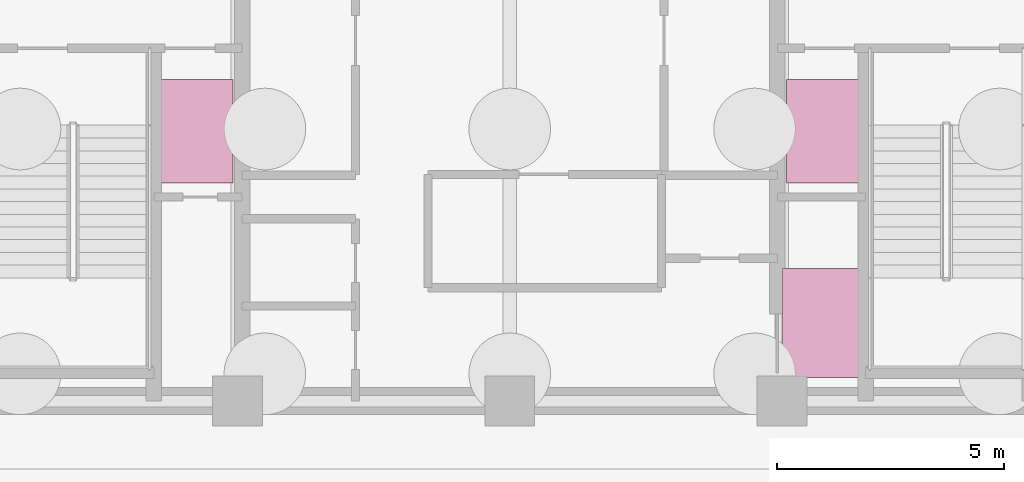
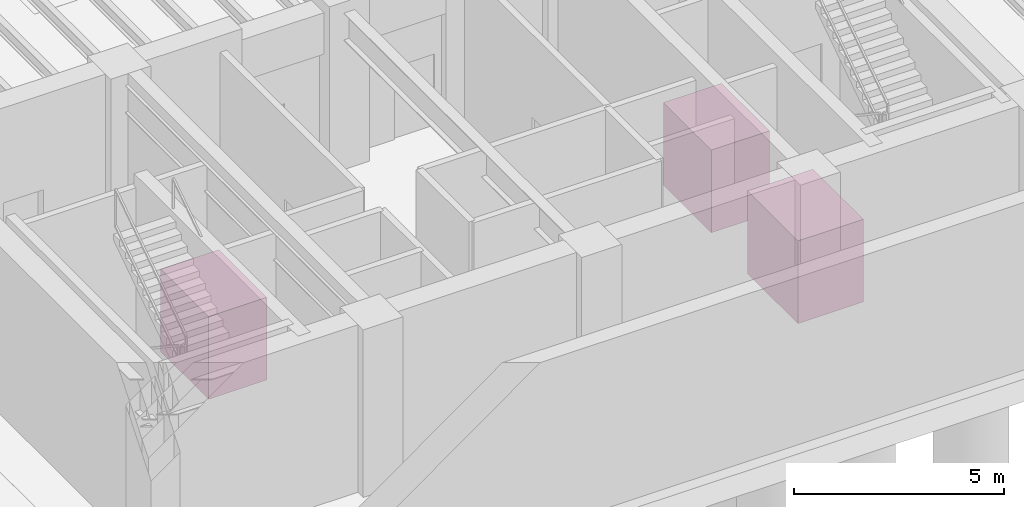
# One storey, part 9 of 9: 3 transport elements.
"""IFC4 building model written with IfcOpenShell, lengths in metres."""

from ifc_helpers import new_model, si_unit, direction, frame, origin, origin_2d, place, context, subcontext, project, spatial, rectangle, extrude, source, transform, mapped, material, type_object, element, save


model = new_model("IFC4")

# Units and contexts
model_context = context("Model", 3, precision=1e-05, world=origin(), true_north=direction((0.0, 1.0)))
body_context = subcontext(model_context, "Body", "Model", "MODEL_VIEW")
ifc_project = project(units=[si_unit("LENGTHUNIT", "METRE"), si_unit("AREAUNIT", "SQUARE_METRE"), si_unit("VOLUMEUNIT", "CUBIC_METRE"), si_unit("PLANEANGLEUNIT", "RADIAN"), si_unit("MASSUNIT", "GRAM", prefix="KILO")], contexts=[model_context])

# Site, building, storey
site_placement = place(None, origin())
site = spatial("IfcSite", under=ifc_project, at=site_placement, CompositionType="ELEMENT")
building_placement = place(site_placement, origin())
building = spatial("IfcBuilding", under=site, at=building_placement, Name="Brelvock Crest Care Tower", CompositionType="ELEMENT")
storey_placement = place(building_placement, frame((0.0, 0.0, -4.860107421875)))
storey = spatial("IfcBuildingStorey", under=building, at=storey_placement, Name="B1", CompositionType="ELEMENT", Elevation=-4.860107421875)

# Transport elements
ifc_material = material(Name="Steel Grade 350", Category="steel")
transport_element_type_1 = type_object("IfcTransportElementType", Name="LFT-FF1", PredefinedType="ELEVATOR", material=ifc_material)
shared_shape_1 = source(origin(), body_context, "Body", "SweptSolid", [
    extrude(rectangle(XDim=1.60009765625, YDim=2.280029296875, at=origin_2d()), origin(), (0.0, 0.0, 1.0), 2.39990234375),
])
for number, where, z_axis, x_axis, name in (
    (1, (29.10009765625, 11.949951171875, 0.000244140625), (0.0, 0.0, 1.0), (1.0, 0.0, 0.0), "Elevator Lift Car FFL-1"),
    (2, (42.89990234375, 11.949951171875, 0.000244140625), (0.0, 0.0, 1.0), (1.0, 0.0, 0.0), "Elevator Lift Car FFL-2"),
):
    element("IfcTransportElement", number, at=place(storey_placement, frame(where, z_axis=z_axis, x_axis=x_axis)), inside=storey, type_object=transport_element_type_1, Name=name, PredefinedType="ELEVATOR", context=body_context, shape_type="MappedRepresentation", body=[
        mapped(shared_shape_1, transform((0.0, 0.0, 0.0), x_axis=(1.0, 0.0, 0.0), y_axis=(0.0, 1.0, 0.0), z_axis=(0.0, 0.0, 1.0), scale=1.0)),
    ])
transport_element_type_2 = type_object("IfcTransportElementType", Name="LFT-SL1", PredefinedType="ELEVATOR", material=ifc_material)
shared_shape_2 = source(origin(), body_context, "Body", "SweptSolid", [
    extrude(rectangle(XDim=1.800048828125, YDim=2.39990234375, at=origin_2d()), origin(), (0.0, 0.0, 1.0), 2.39990234375),
])
transport_element_placement = place(storey_placement, frame((42.89990234375, 7.719970703125, 0.000244140625), z_axis=(0.0, 0.0, 1.0), x_axis=(1.0, 0.0, 0.0)))
element("IfcTransportElement", 3, at=transport_element_placement, inside=storey, type_object=transport_element_type_2, Name="Elevator Lift Car SL-1", PredefinedType="ELEVATOR", context=body_context, shape_type="MappedRepresentation", body=[
    mapped(shared_shape_2, transform((0.0, 0.0, 0.0), x_axis=(1.0, 0.0, 0.0), y_axis=(0.0, 1.0, 0.0), z_axis=(0.0, 0.0, 1.0), scale=1.0)),
])

save(model, "model.ifc")
